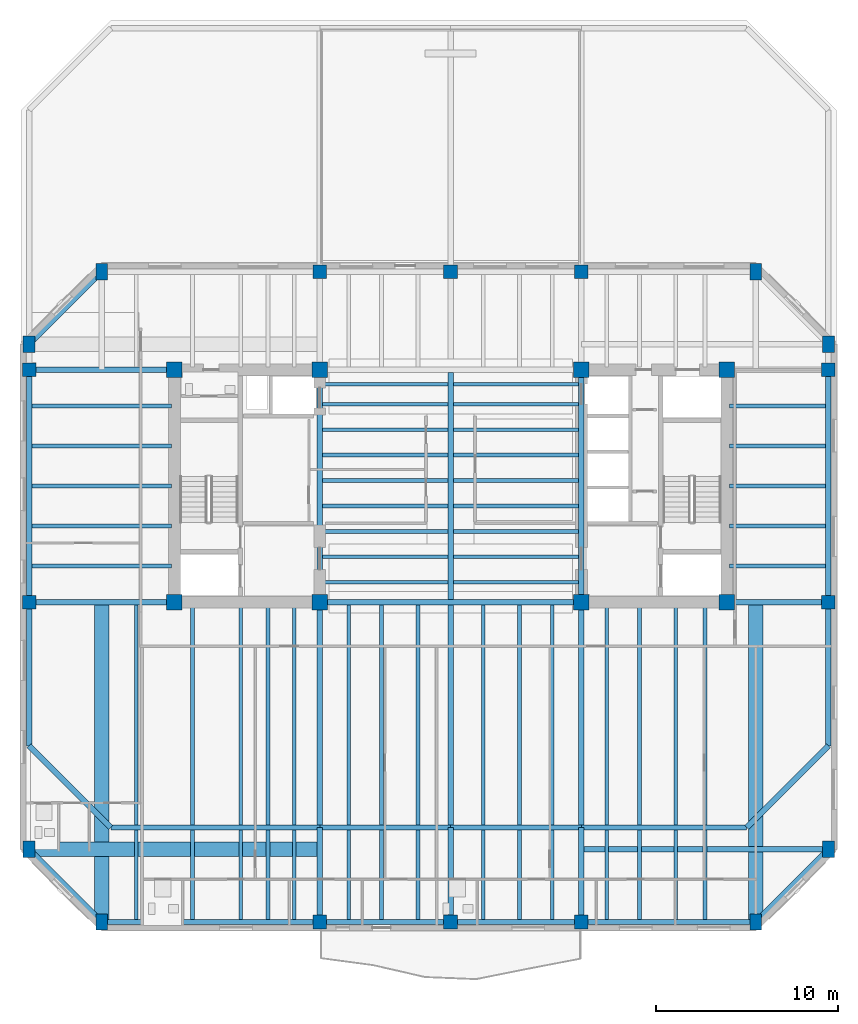
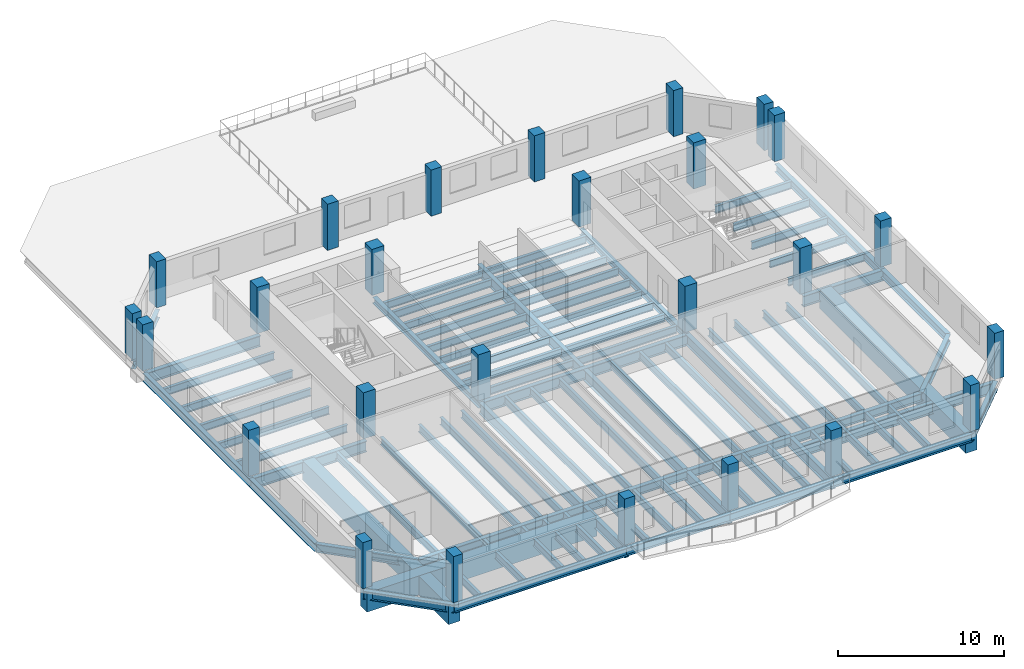
# One storey, part 1 of 11: 77 beams, 26 columns.
"""IFC4 building model written with IfcOpenShell, lengths in metres."""

import ifcopenshell
import ifcopenshell.guid

model = None  # the IFC model being written
_history = None  # IfcOwnerHistory: only IFC2X3 demands one
_inside = {}  # id of a spatial element -> (the spatial element, [elements in it])
_under = {}  # id of a project, library or spatial element -> (it, [spatial elements below it])
_declared = {}  # id of a project -> (the project, [libraries it declares])
_typed = {}  # id of a type object -> (the type object, [elements of that type])
_made_of = {}  # id of a material, layer set ... -> (it, [elements and type objects made of it])


def new_model(schema):
    """Start an empty IFC model of exactly this schema.

    Asked for "IFC4X3", IfcOpenShell would pick the latest addendum, in which some entities
    have other attributes; the version numbers below select the first issue.
    IFC2X3 requires an IfcOwnerHistory on every rooted entity: one is made here for all.
    """
    global model, _history
    if schema == "IFC4X3":
        model = ifcopenshell.file(schema_version=(4, 3, 0, 0))
    else:
        model = ifcopenshell.file(schema=schema)
    _inside.clear()
    _under.clear()
    _declared.clear()
    _typed.clear()
    _made_of.clear()
    _history = None
    if model.schema == "IFC2X3":
        org = make("IfcOrganization", Name="unknown")
        user = make(
            "IfcPersonAndOrganization",
            ThePerson=make("IfcPerson", FamilyName="unknown"),
            TheOrganization=org,
        )
        app = make(
            "IfcApplication",
            ApplicationDeveloper=org,
            Version="unknown",
            ApplicationFullName="unknown",
            ApplicationIdentifier="unknown",
        )
        _history = make(
            "IfcOwnerHistory",
            OwningUser=user,
            OwningApplication=app,
            ChangeAction="ADDED",
            CreationDate=0,
        )
    return model


def make(cls, **values):
    """One entity of the class cls with the attributes given. An attribute that is None is left unset."""
    return model.create_entity(
        cls, **{name: value for name, value in values.items() if value is not None}
    )


def rooted(cls, **values):
    """An entity with a GlobalId (a new one), such as an element, a storey or a relation."""
    return make(cls, GlobalId=ifcopenshell.guid.new(), OwnerHistory=_history, **values)


def si_unit(unit_type, name, prefix=None):
    """IfcSIUnit, for example si_unit("LENGTHUNIT", "METRE", prefix="MILLI")."""
    return make("IfcSIUnit", UnitType=unit_type, Prefix=prefix, Name=name)


def assignment(units):
    """IfcUnitAssignment: the units of a project."""
    return None if units is None else make("IfcUnitAssignment", Units=units)


def point(xyz):
    """IfcCartesianPoint."""
    return None if xyz is None else make("IfcCartesianPoint", Coordinates=xyz)


def direction(xyz):
    """IfcDirection."""
    return None if xyz is None else make("IfcDirection", DirectionRatios=xyz)


def frame(location, z_axis=None, x_axis=None):
    """IfcAxis2Placement3D, a coordinate frame: its origin and axes. An axis left out is left unset."""
    return make(
        "IfcAxis2Placement3D",
        Location=point(location),
        Axis=direction(z_axis),
        RefDirection=direction(x_axis),
    )


def frame_2d(location, x_axis=None):
    """IfcAxis2Placement2D, a coordinate frame in the plane: its origin and x axis."""
    return make(
        "IfcAxis2Placement2D", Location=point(location), RefDirection=direction(x_axis)
    )


def origin():
    """The frame at (0, 0, 0) with its axes left unset."""
    return frame((0.0, 0.0, 0.0))


def origin_2d():
    """The frame at (0, 0) in the plane with its x axis left unset."""
    return frame_2d((0.0, 0.0))


def place(relative_to, where):
    """IfcLocalPlacement: puts the frame where relative to a parent placement (None: the world)."""
    return make(
        "IfcLocalPlacement", PlacementRelTo=relative_to, RelativePlacement=where
    )


def context(
    kind, dimensions, precision=None, world=None, true_north=None, identifier=None
):
    """IfcGeometricRepresentationContext, for example the 3D "Model" context."""
    return make(
        "IfcGeometricRepresentationContext",
        ContextIdentifier=identifier,
        ContextType=kind,
        CoordinateSpaceDimension=dimensions,
        Precision=precision,
        WorldCoordinateSystem=world,
        TrueNorth=true_north,
    )


def subcontext(parent, identifier, kind, view, scale=None):
    """IfcGeometricRepresentationSubContext, for example "Body" below "Model"."""
    return make(
        "IfcGeometricRepresentationSubContext",
        ContextIdentifier=identifier,
        ContextType=kind,
        ParentContext=parent,
        TargetScale=scale,
        TargetView=view,
    )


def project(units=None, contexts=None):
    """IfcProject with its units and contexts."""
    return rooted(
        "IfcProject",
        Name="project",
        RepresentationContexts=contexts,
        UnitsInContext=assignment(units),
    )


def spatial(cls, under=None, at=None, **own):
    """A site, building, storey or space (cls), placed at a placement, below another one or the project."""
    s = rooted(cls, ObjectPlacement=at, **own)
    if under is not None:
        _under.setdefault(under.id(), (under, []))[1].append(s)
    return s


def profile(cls, at=None, kind="AREA", **sizes):
    """A parametric profile (cls). Its sizes go by their IFC names, for example OverallWidth=200.0."""
    return make(cls, ProfileType=kind, Position=at, **sizes)


def rectangle(**sizes):
    """IfcRectangleProfileDef."""
    return profile("IfcRectangleProfileDef", **sizes)


def i_section(**sizes):
    """IfcIShapeProfileDef."""
    return profile("IfcIShapeProfileDef", **sizes)


def extrude(swept, where, along, depth):
    """IfcExtrudedAreaSolid: the profile swept, set in the frame where, extruded along a direction by depth."""
    return make(
        "IfcExtrudedAreaSolid",
        SweptArea=swept,
        Position=where,
        ExtrudedDirection=direction(along),
        Depth=depth,
    )


def shape(context_of_items, identifier, shape_type, items):
    """IfcShapeRepresentation: the items that make up one representation, for example the "Body"."""
    return make(
        "IfcShapeRepresentation",
        ContextOfItems=context_of_items,
        RepresentationIdentifier=identifier,
        RepresentationType=shape_type,
        Items=items,
    )


def material(Name=None, Category=None):
    """IfcMaterial."""
    return make("IfcMaterial", Name=Name, Category=Category)


def material_profile(
    of_material, cross_section, Name=None, Category=None, Priority=None
):
    """IfcMaterialProfile: a cross section and its material."""
    return make(
        "IfcMaterialProfile",
        Name=Name,
        Material=of_material,
        Profile=cross_section,
        Priority=Priority,
        Category=Category,
    )


def profile_set(profiles, Name=None, composite=None):
    """IfcMaterialProfileSet."""
    return make(
        "IfcMaterialProfileSet",
        Name=Name,
        MaterialProfiles=profiles,
        CompositeProfile=composite,
    )


def made_of(thing, what):
    """Note that an element or type object is made of a material, layer set ...; save() writes the relation."""
    if what is not None:
        _made_of.setdefault(what.id(), (what, []))[1].append(thing)
    return thing


def type_object(cls, material=None, **own):
    """A type object (cls), such as IfcWallType, which elements share."""
    return made_of(rooted(cls, **own), material)


def element(
    cls,
    number,
    at=None,
    inside=None,
    cuts=None,
    type_object=None,
    material=None,
    context=None,
    identifier="Body",
    shape_type=None,
    held_by="IfcProductDefinitionShape",
    body=None,
    shapes=None,
    **own,
):
    """One element of the class cls, such as IfcWall. Its Tag is "e" and its number.

    at: its placement. inside: the storey or other place that contains it. cuts: it is an
    opening in that element (IfcRelVoidsElement). A single representation is given by context,
    identifier, shape_type and body (its items); several are given by shapes. held_by: the class
    of the entity that holds the representations. save() writes the other relations.
    """
    e = rooted(cls, Tag="e%d" % number, ObjectPlacement=at, **own)
    if body is not None:
        shapes = [shape(context, identifier, shape_type, body)]
    if shapes is not None:
        e.Representation = make(held_by, Representations=shapes)
    if inside is not None:
        _inside.setdefault(inside.id(), (inside, []))[1].append(e)
    if cuts is not None:
        rooted(
            "IfcRelVoidsElement", RelatingBuildingElement=cuts, RelatedOpeningElement=e
        )
    if type_object is not None:
        _typed.setdefault(type_object.id(), (type_object, []))[1].append(e)
    return made_of(e, material)


def aggregate(whole, parts):
    """IfcRelAggregates: a whole, such as a stair, and the parts it consists of."""
    return rooted("IfcRelAggregates", RelatingObject=whole, RelatedObjects=parts)


def save(model, path):
    """Write the relations noted so far, then the file.

    IfcRelAggregates (storeys below a building ...), IfcRelContainedInSpatialStructure (elements
    in a storey), IfcRelDefinesByType, IfcRelAssociatesMaterial and IfcRelDeclares: one each for
    every whole, place, type object, material and project.
    """
    for whole, parts in _under.values():
        aggregate(whole, parts)
    for where, things in _inside.values():
        rooted(
            "IfcRelContainedInSpatialStructure",
            RelatedElements=things,
            RelatingStructure=where,
        )
    for kind, things in _typed.values():
        rooted("IfcRelDefinesByType", RelatedObjects=things, RelatingType=kind)
    for what, things in _made_of.values():
        rooted("IfcRelAssociatesMaterial", RelatedObjects=things, RelatingMaterial=what)
    for by, libraries in _declared.values():
        rooted("IfcRelDeclares", RelatingContext=by, RelatedDefinitions=libraries)
    model.write(path)


model = new_model("IFC4")

# Units and contexts
model_context = context("Model", 3, precision=1e-05, world=origin(), true_north=direction((0.0, 1.0)))
body_context = subcontext(model_context, "Body", "Model", "MODEL_VIEW")
ifc_project = project(units=[si_unit("LENGTHUNIT", "METRE"), si_unit("AREAUNIT", "SQUARE_METRE"), si_unit("VOLUMEUNIT", "CUBIC_METRE"), si_unit("PLANEANGLEUNIT", "RADIAN"), si_unit("MASSUNIT", "GRAM", prefix="KILO")], contexts=[model_context])

# Site, building, storey
site_placement = place(None, origin())
site = spatial("IfcSite", under=ifc_project, at=site_placement, CompositionType="ELEMENT")
building_placement = place(site_placement, origin())
building = spatial("IfcBuilding", under=site, at=building_placement, Name="Kranthara Brick Stack", CompositionType="ELEMENT")
storey_placement = place(building_placement, frame((0.0, 0.0, 207.5)))
storey = spatial("IfcBuildingStorey", under=building, at=storey_placement, Name="L53", CompositionType="ELEMENT", Elevation=207.5)

# Columns
ifc_material_1 = material(Name="Concrete C50/60", Category="concrete")
ifc_material_profile_1 = material_profile(ifc_material_1, rectangle(XDim=0.64990234375, YDim=0.89990234375, at=origin_2d()), Name="RC 650x900")
ifc_profile_set_1 = profile_set([ifc_material_profile_1], Name="Concrete C50/60")
column_type_1 = type_object("IfcColumnType", Name="COL-CHAM-650x900", PredefinedType="COLUMN", material=ifc_profile_set_1)
for number, where, z_axis, x_axis, name in (
    (1, (8.800048828125, 3.199951171875, 0.0), (0.0, 0.0, 1.0), (1.0, 0.0, 0.0), "L53 Column 09"),
    (2, (8.800048828125, 39.0, 0.0), (0.0, 0.0, 1.0), (1.0, 0.0, 0.0), "L53 Column 10"),
    (3, (44.800048828125, 3.199951171875, 0.0), (0.0, 0.0, 1.0), (1.0, 0.0, 0.0), "L53 Column 17"),
    (4, (44.800048828125, 39.0, 0.0), (0.0, 0.0, 1.0), (1.0, 0.0, 0.0), "L53 Column 18"),
    (5, (4.800048828125, 7.199951171875, 0.0), (0.0, 0.0, 1.0), (1.0, 0.0, 0.0), "L53 Column 19"),
    (6, (48.800048828125, 7.199951171875, 0.0), (0.0, 0.0, 1.0), (1.0, 0.0, 0.0), "L53 Column 20"),
    (7, (4.800048828125, 35.0, 0.0), (0.0, 0.0, 1.0), (1.0, 0.0, 0.0), "L53 Column 25"),
    (8, (48.800048828125, 35.0, 0.0), (0.0, 0.0, 1.0), (1.0, 0.0, 0.0), "L53 Column 26"),
):
    element("IfcColumn", number, at=place(storey_placement, frame(where, z_axis=z_axis, x_axis=x_axis)), inside=storey, type_object=column_type_1, Name=name, PredefinedType="COLUMN", context=body_context, shape_type="SweptSolid", body=[
        extrude(rectangle(XDim=0.64990234375, YDim=0.89990234375, at=origin_2d()), origin(), (0.0, 0.0, 1.0), 3.39990234375),
    ])
ifc_material_2 = material(Name="Concrete C50/60", Category="concrete")
ifc_material_profile_2 = material_profile(ifc_material_2, rectangle(XDim=0.85009765625, YDim=0.85009765625, at=origin_2d()), Name="RC 850x850")
ifc_profile_set_2 = profile_set([ifc_material_profile_2], Name="Concrete C50/60")
column_type_2 = type_object("IfcColumnType", Name="COL-CORE-850", PredefinedType="COLUMN", material=ifc_profile_set_2)
for number, where, z_axis, x_axis, name in (
    (9, (12.800048828125, 20.800048828125, 0.0), (0.0, 0.0, 1.0), (1.0, 0.0, 0.0), "L53 Column 01"),
    (10, (20.800048828125, 20.800048828125, 0.0), (0.0, 0.0, 1.0), (1.0, 0.0, 0.0), "L53 Column 02"),
    (11, (12.800048828125, 33.60009765625, 0.0), (0.0, 0.0, 1.0), (1.0, 0.0, 0.0), "L53 Column 03"),
    (12, (20.800048828125, 33.60009765625, 0.0), (0.0, 0.0, 1.0), (1.0, 0.0, 0.0), "L53 Column 04"),
    (13, (35.199951171875, 20.800048828125, 0.0), (0.0, 0.0, 1.0), (1.0, 0.0, 0.0), "L53 Column 05"),
    (14, (43.199951171875, 20.800048828125, 0.0), (0.0, 0.0, 1.0), (1.0, 0.0, 0.0), "L53 Column 06"),
    (15, (35.199951171875, 33.60009765625, 0.0), (0.0, 0.0, 1.0), (1.0, 0.0, 0.0), "L53 Column 07"),
    (16, (43.199951171875, 33.60009765625, 0.0), (0.0, 0.0, 1.0), (1.0, 0.0, 0.0), "L53 Column 08"),
):
    element("IfcColumn", number, at=place(storey_placement, frame(where, z_axis=z_axis, x_axis=x_axis)), inside=storey, type_object=column_type_2, Name=name, PredefinedType="COLUMN", context=body_context, shape_type="SweptSolid", body=[
        extrude(rectangle(XDim=0.85009765625, YDim=0.85009765625, at=origin_2d()), origin(), (0.0, 0.0, 1.0), 3.39990234375),
    ])
ifc_material_3 = material(Name="Concrete C50/60", Category="concrete")
ifc_material_profile_3 = material_profile(ifc_material_3, rectangle(XDim=0.75, YDim=0.75, at=origin_2d()), Name="RC 750x750")
ifc_profile_set_3 = profile_set([ifc_material_profile_3], Name="Concrete C50/60")
column_type_3 = type_object("IfcColumnType", Name="COL-PER-750", PredefinedType="COLUMN", material=ifc_profile_set_3)
for number, where, z_axis, x_axis, name in (
    (17, (20.800048828125, 3.199951171875, 0.0), (0.0, 0.0, 1.0), (1.0, 0.0, 0.0), "L53 Column 11"),
    (18, (20.800048828125, 39.0, 0.0), (0.0, 0.0, 1.0), (1.0, 0.0, 0.0), "L53 Column 12"),
    (19, (28.0, 3.199951171875, 0.0), (0.0, 0.0, 1.0), (1.0, 0.0, 0.0), "L53 Column 13"),
    (20, (28.0, 39.0, 0.0), (0.0, 0.0, 1.0), (1.0, 0.0, 0.0), "L53 Column 14"),
    (21, (35.199951171875, 3.199951171875, 0.0), (0.0, 0.0, 1.0), (1.0, 0.0, 0.0), "L53 Column 15"),
    (22, (35.199951171875, 39.0, 0.0), (0.0, 0.0, 1.0), (1.0, 0.0, 0.0), "L53 Column 16"),
    (23, (4.800048828125, 20.800048828125, 0.0), (0.0, 0.0, 1.0), (1.0, 0.0, 0.0), "L53 Column 21"),
    (24, (48.800048828125, 20.800048828125, 0.0), (0.0, 0.0, 1.0), (1.0, 0.0, 0.0), "L53 Column 22"),
    (25, (4.800048828125, 33.60009765625, 0.0), (0.0, 0.0, 1.0), (1.0, 0.0, 0.0), "L53 Column 23"),
    (26, (48.800048828125, 33.60009765625, 0.0), (0.0, 0.0, 1.0), (1.0, 0.0, 0.0), "L53 Column 24"),
):
    element("IfcColumn", number, at=place(storey_placement, frame(where, z_axis=z_axis, x_axis=x_axis)), inside=storey, type_object=column_type_3, Name=name, PredefinedType="COLUMN", context=body_context, shape_type="SweptSolid", body=[
        extrude(rectangle(XDim=0.75, YDim=0.75, at=origin_2d()), origin(), (0.0, 0.0, 1.0), 3.39990234375),
    ])

# Beams
ifc_material_4 = material(Name="Steel S355", Category="steel")
ifc_material_profile_4 = material_profile(ifc_material_4, i_section(OverallWidth=0.2099609375, OverallDepth=0.550048828125, WebThickness=0.010986328125, FlangeThickness=0.01708984375, at=origin_2d()), Name="IPE 550")
ifc_profile_set_4 = profile_set([ifc_material_profile_4], Name="Steel S355")
beam_type_1 = type_object("IfcBeamType", Name="BM-JST-IPE550", PredefinedType="JOIST", material=ifc_profile_set_4)
for number, where, z_axis, x_axis, name in (
    (27, (20.949951171875, 21.89990234375, -0.72509765625), (1.0, 0.0, 0.0), (0.0, 1.0, 0.0), "L53 Central Floor Joist 057"),
    (28, (28.14990234375, 21.89990234375, -0.72509765625), (1.0, 0.0, 0.0), (0.0, 1.0, 0.0), "L53 Central Floor Joist 058"),
    (29, (20.949951171875, 23.300048828125, -0.72509765625), (1.0, 0.0, 0.0), (0.0, 1.0, 0.0), "L53 Central Floor Joist 059"),
    (30, (28.14990234375, 23.300048828125, -0.72509765625), (1.0, 0.0, 0.0), (0.0, 1.0, 0.0), "L53 Central Floor Joist 060"),
    (31, (20.949951171875, 24.699951171875, -0.72509765625), (1.0, 0.0, 0.0), (0.0, 1.0, 0.0), "L53 Central Floor Joist 061"),
    (32, (28.14990234375, 24.699951171875, -0.72509765625), (1.0, 0.0, 0.0), (0.0, 1.0, 0.0), "L53 Central Floor Joist 062"),
    (33, (20.949951171875, 26.10009765625, -0.72509765625), (1.0, 0.0, 0.0), (0.0, 1.0, 0.0), "L53 Central Floor Joist 063"),
    (34, (28.14990234375, 26.10009765625, -0.72509765625), (1.0, 0.0, 0.0), (0.0, 1.0, 0.0), "L53 Central Floor Joist 064"),
    (35, (20.949951171875, 27.5, -0.72509765625), (1.0, 0.0, 0.0), (0.0, 1.0, 0.0), "L53 Central Floor Joist 065"),
    (36, (28.14990234375, 27.5, -0.72509765625), (1.0, 0.0, 0.0), (0.0, 1.0, 0.0), "L53 Central Floor Joist 066"),
    (37, (20.949951171875, 28.89990234375, -0.72509765625), (1.0, 0.0, 0.0), (0.0, 1.0, 0.0), "L53 Central Floor Joist 067"),
    (38, (28.14990234375, 28.89990234375, -0.72509765625), (1.0, 0.0, 0.0), (0.0, 1.0, 0.0), "L53 Central Floor Joist 068"),
    (39, (20.949951171875, 30.300048828125, -0.72509765625), (1.0, 0.0, 0.0), (0.0, 1.0, 0.0), "L53 Central Floor Joist 069"),
    (40, (28.14990234375, 30.300048828125, -0.72509765625), (1.0, 0.0, 0.0), (0.0, 1.0, 0.0), "L53 Central Floor Joist 070"),
    (41, (20.949951171875, 31.699951171875, -0.72509765625), (1.0, 0.0, 0.0), (0.0, 1.0, 0.0), "L53 Central Floor Joist 071"),
    (42, (28.14990234375, 31.699951171875, -0.72509765625), (1.0, 0.0, 0.0), (0.0, 1.0, 0.0), "L53 Central Floor Joist 072"),
    (43, (20.949951171875, 32.800048828125, -0.72509765625), (1.0, 0.0, 0.0), (0.0, 1.0, 0.0), "L53 Central Floor Joist 073"),
    (44, (28.14990234375, 32.800048828125, -0.72509765625), (1.0, 0.0, 0.0), (0.0, 1.0, 0.0), "L53 Central Floor Joist 074"),
):
    element("IfcBeam", number, at=place(storey_placement, frame(where, z_axis=z_axis, x_axis=x_axis)), inside=storey, type_object=beam_type_1, Name=name, PredefinedType="JOIST", context=body_context, shape_type="SweptSolid", body=[
        extrude(i_section(OverallWidth=0.2099609375, OverallDepth=0.550048828125, WebThickness=0.010986328125, FlangeThickness=0.01708984375, at=origin_2d()), origin(), (0.0, 0.0, 1.0), 6.900146484375),
    ])
for number, where, z_axis, x_axis, name in (
    (45, (10.699951171875, 3.35009765625, -0.72509765625), (0.0, 1.0, 0.0), (-1.0, 0.0, 0.0), "L53 South Wing Floor Joist 075"),
    (46, (13.800048828125, 3.35009765625, -0.72509765625), (0.0, 1.0, 0.0), (-1.0, 0.0, 0.0), "L53 South Wing Floor Joist 077"),
    (47, (16.449951171875, 3.35009765625, -0.72509765625), (0.0, 1.0, 0.0), (-1.0, 0.0, 0.0), "L53 South Wing Floor Joist 079"),
    (48, (17.949951171875, 3.35009765625, -0.72509765625), (0.0, 1.0, 0.0), (-1.0, 0.0, 0.0), "L53 South Wing Floor Joist 081"),
    (49, (19.39990234375, 3.35009765625, -0.72509765625), (0.0, 1.0, 0.0), (-1.0, 0.0, 0.0), "L53 South Wing Floor Joist 083"),
    (50, (22.39990234375, 3.35009765625, -0.72509765625), (0.0, 1.0, 0.0), (-1.0, 0.0, 0.0), "L53 South Wing Floor Joist 085"),
    (51, (24.199951171875, 3.35009765625, -0.72509765625), (0.0, 1.0, 0.0), (-1.0, 0.0, 0.0), "L53 South Wing Floor Joist 087"),
    (52, (26.199951171875, 3.35009765625, -0.72509765625), (0.0, 1.0, 0.0), (-1.0, 0.0, 0.0), "L53 South Wing Floor Joist 089"),
    (53, (29.800048828125, 3.35009765625, -0.72509765625), (0.0, 1.0, 0.0), (-1.0, 0.0, 0.0), "L53 South Wing Floor Joist 091"),
    (54, (31.800048828125, 3.35009765625, -0.72509765625), (0.0, 1.0, 0.0), (-1.0, 0.0, 0.0), "L53 South Wing Floor Joist 093"),
    (55, (33.60009765625, 3.35009765625, -0.72509765625), (0.0, 1.0, 0.0), (-1.0, 0.0, 0.0), "L53 South Wing Floor Joist 095"),
    (56, (36.60009765625, 3.35009765625, -0.72509765625), (0.0, 1.0, 0.0), (-1.0, 0.0, 0.0), "L53 South Wing Floor Joist 097"),
    (57, (38.39990234375, 3.35009765625, -0.72509765625), (0.0, 1.0, 0.0), (-1.0, 0.0, 0.0), "L53 South Wing Floor Joist 099"),
    (58, (40.39990234375, 3.35009765625, -0.72509765625), (0.0, 1.0, 0.0), (-1.0, 0.0, 0.0), "L53 South Wing Floor Joist 101"),
    (59, (42.0, 3.35009765625, -0.72509765625), (0.0, 1.0, 0.0), (-1.0, 0.0, 0.0), "L53 South Wing Floor Joist 103"),
):
    element("IfcBeam", number, at=place(storey_placement, frame(where, z_axis=z_axis, x_axis=x_axis)), inside=storey, type_object=beam_type_1, Name=name, PredefinedType="JOIST", context=body_context, shape_type="SweptSolid", body=[
        extrude(i_section(OverallWidth=0.2099609375, OverallDepth=0.550048828125, WebThickness=0.010986328125, FlangeThickness=0.01708984375, at=origin_2d()), origin(), (0.0, 0.0, 1.0), 17.2998046875),
    ])
beam_1_placement = place(storey_placement, frame((4.949951171875, 22.800048828125, -0.72509765625), z_axis=(1.0, 0.0, 0.0), x_axis=(0.0, 1.0, 0.0)))
element("IfcBeam", 60, at=beam_1_placement, inside=storey, type_object=beam_type_1, Name="L53 West Wing Floor Joist 105", PredefinedType="JOIST", context=body_context, shape_type="SweptSolid", body=[
    extrude(i_section(OverallWidth=0.2099609375, OverallDepth=0.550048828125, WebThickness=0.010986328125, FlangeThickness=0.01708984375, at=origin_2d()), origin(), (0.0, 0.0, 1.0), 7.699951171875),
])
beam_2_placement = place(storey_placement, frame((43.35009765625, 22.800048828125, -0.72509765625), z_axis=(1.0, 0.0, 0.0), x_axis=(0.0, 1.0, 0.0)))
element("IfcBeam", 61, at=beam_2_placement, inside=storey, type_object=beam_type_1, Name="L53 East Wing Floor Joist 106", PredefinedType="JOIST", context=body_context, shape_type="SweptSolid", body=[
    extrude(i_section(OverallWidth=0.2099609375, OverallDepth=0.550048828125, WebThickness=0.010986328125, FlangeThickness=0.01708984375, at=origin_2d()), origin(), (0.0, 0.0, 1.0), 5.2998046875),
])
beam_3_placement = place(storey_placement, frame((4.949951171875, 25.0, -0.72509765625), z_axis=(1.0, 0.0, 0.0), x_axis=(0.0, 1.0, 0.0)))
element("IfcBeam", 62, at=beam_3_placement, inside=storey, type_object=beam_type_1, Name="L53 West Wing Floor Joist 107", PredefinedType="JOIST", context=body_context, shape_type="SweptSolid", body=[
    extrude(i_section(OverallWidth=0.2099609375, OverallDepth=0.550048828125, WebThickness=0.010986328125, FlangeThickness=0.01708984375, at=origin_2d()), origin(), (0.0, 0.0, 1.0), 7.699951171875),
])
beam_4_placement = place(storey_placement, frame((43.35009765625, 25.0, -0.72509765625), z_axis=(1.0, 0.0, 0.0), x_axis=(0.0, 1.0, 0.0)))
element("IfcBeam", 63, at=beam_4_placement, inside=storey, type_object=beam_type_1, Name="L53 East Wing Floor Joist 108", PredefinedType="JOIST", context=body_context, shape_type="SweptSolid", body=[
    extrude(i_section(OverallWidth=0.2099609375, OverallDepth=0.550048828125, WebThickness=0.010986328125, FlangeThickness=0.01708984375, at=origin_2d()), origin(), (0.0, 0.0, 1.0), 5.2998046875),
])
beam_5_placement = place(storey_placement, frame((4.949951171875, 27.199951171875, -0.72509765625), z_axis=(1.0, 0.0, 0.0), x_axis=(0.0, 1.0, 0.0)))
element("IfcBeam", 64, at=beam_5_placement, inside=storey, type_object=beam_type_1, Name="L53 West Wing Floor Joist 109", PredefinedType="JOIST", context=body_context, shape_type="SweptSolid", body=[
    extrude(i_section(OverallWidth=0.2099609375, OverallDepth=0.550048828125, WebThickness=0.010986328125, FlangeThickness=0.01708984375, at=origin_2d()), origin(), (0.0, 0.0, 1.0), 7.699951171875),
])
beam_6_placement = place(storey_placement, frame((43.35009765625, 27.199951171875, -0.72509765625), z_axis=(1.0, 0.0, 0.0), x_axis=(0.0, 1.0, 0.0)))
element("IfcBeam", 65, at=beam_6_placement, inside=storey, type_object=beam_type_1, Name="L53 East Wing Floor Joist 110", PredefinedType="JOIST", context=body_context, shape_type="SweptSolid", body=[
    extrude(i_section(OverallWidth=0.2099609375, OverallDepth=0.550048828125, WebThickness=0.010986328125, FlangeThickness=0.01708984375, at=origin_2d()), origin(), (0.0, 0.0, 1.0), 5.2998046875),
])
beam_7_placement = place(storey_placement, frame((4.949951171875, 29.39990234375, -0.72509765625), z_axis=(1.0, 0.0, 0.0), x_axis=(0.0, 1.0, 0.0)))
element("IfcBeam", 66, at=beam_7_placement, inside=storey, type_object=beam_type_1, Name="L53 West Wing Floor Joist 111", PredefinedType="JOIST", context=body_context, shape_type="SweptSolid", body=[
    extrude(i_section(OverallWidth=0.2099609375, OverallDepth=0.550048828125, WebThickness=0.010986328125, FlangeThickness=0.01708984375, at=origin_2d()), origin(), (0.0, 0.0, 1.0), 7.699951171875),
])
beam_8_placement = place(storey_placement, frame((43.35009765625, 29.39990234375, -0.72509765625), z_axis=(1.0, 0.0, 0.0), x_axis=(0.0, 1.0, 0.0)))
element("IfcBeam", 67, at=beam_8_placement, inside=storey, type_object=beam_type_1, Name="L53 East Wing Floor Joist 112", PredefinedType="JOIST", context=body_context, shape_type="SweptSolid", body=[
    extrude(i_section(OverallWidth=0.2099609375, OverallDepth=0.550048828125, WebThickness=0.010986328125, FlangeThickness=0.01708984375, at=origin_2d()), origin(), (0.0, 0.0, 1.0), 5.2998046875),
])
beam_9_placement = place(storey_placement, frame((4.949951171875, 31.60009765625, -0.72509765625), z_axis=(1.0, 0.0, 0.0), x_axis=(0.0, 1.0, 0.0)))
element("IfcBeam", 68, at=beam_9_placement, inside=storey, type_object=beam_type_1, Name="L53 West Wing Floor Joist 113", PredefinedType="JOIST", context=body_context, shape_type="SweptSolid", body=[
    extrude(i_section(OverallWidth=0.2099609375, OverallDepth=0.550048828125, WebThickness=0.010986328125, FlangeThickness=0.01708984375, at=origin_2d()), origin(), (0.0, 0.0, 1.0), 7.699951171875),
])
beam_10_placement = place(storey_placement, frame((43.35009765625, 31.60009765625, -0.72509765625), z_axis=(1.0, 0.0, 0.0), x_axis=(0.0, 1.0, 0.0)))
element("IfcBeam", 69, at=beam_10_placement, inside=storey, type_object=beam_type_1, Name="L53 East Wing Floor Joist 114", PredefinedType="JOIST", context=body_context, shape_type="SweptSolid", body=[
    extrude(i_section(OverallWidth=0.2099609375, OverallDepth=0.550048828125, WebThickness=0.010986328125, FlangeThickness=0.01708984375, at=origin_2d()), origin(), (0.0, 0.0, 1.0), 5.2998046875),
])
ifc_material_5 = material(Name="Steel S355", Category="steel")
ifc_material_profile_5 = material_profile(ifc_material_5, i_section(OverallWidth=0.300048828125, OverallDepth=0.449951171875, WebThickness=0.013916015625, FlangeThickness=0.02587890625, at=origin_2d()), Name="HEB 450")
ifc_profile_set_5 = profile_set([ifc_material_profile_5], Name="Steel S355")
beam_type_2 = type_object("IfcBeamType", Name="BM-STL-HEB450", PredefinedType="SPANDREL", material=ifc_profile_set_5)
for number, where, z_axis, x_axis, name in (
    (70, (20.800048828125, 20.800048828125, -0.675048828125), (0.0, 1.0, 0.0), (-1.0, 0.0, 0.0), "L53 Core Edge Tie Beam 003"),
    (71, (35.199951171875, 20.800048828125, -0.675048828125), (0.0, 1.0, 0.0), (-1.0, 0.0, 0.0), "L53 Core Edge Tie Beam 004"),
):
    element("IfcBeam", number, at=place(storey_placement, frame(where, z_axis=z_axis, x_axis=x_axis)), inside=storey, type_object=beam_type_2, Name=name, PredefinedType="SPANDREL", context=body_context, shape_type="SweptSolid", body=[
        extrude(i_section(OverallWidth=0.300048828125, OverallDepth=0.449951171875, WebThickness=0.013916015625, FlangeThickness=0.02587890625, at=origin_2d()), origin(), (0.0, 0.0, 1.0), 12.800048828125),
    ])
ifc_material_6 = material(Name="Steel S355", Category="steel")
ifc_material_profile_6 = material_profile(ifc_material_6, i_section(OverallWidth=0.300048828125, OverallDepth=0.60009765625, WebThickness=0.015380859375, FlangeThickness=0.030029296875, at=origin_2d()), Name="HEB 600")
ifc_profile_set_6 = profile_set([ifc_material_profile_6], Name="Steel S355")
beam_type_3 = type_object("IfcBeamType", Name="BM-STL-HEB600", PredefinedType="BEAM", material=ifc_profile_set_6)
beam_11_placement = place(storey_placement, frame((9.300048828125, 8.39990234375, -0.75), z_axis=(1.0, 0.0, 0.0), x_axis=(0.0, 1.0, 0.0)))
element("IfcBeam", 72, at=beam_11_placement, inside=storey, type_object=beam_type_3, Name="L53 Perimeter Spandrel Beam 005", PredefinedType="BEAM", context=body_context, shape_type="SweptSolid", body=[
    extrude(i_section(OverallWidth=0.300048828125, OverallDepth=0.60009765625, WebThickness=0.015380859375, FlangeThickness=0.030029296875, at=origin_2d()), origin(), (0.0, 0.0, 1.0), 11.5),
])
for number, where, z_axis, x_axis, name in (
    (73, (20.800048828125, 8.39990234375, -0.75), (1.0, 0.0, 0.0), (0.0, 1.0, 0.0), "L53 Perimeter Spandrel Beam 006"),
    (74, (28.0, 8.39990234375, -0.75), (1.0, 0.0, 0.0), (0.0, 1.0, 0.0), "L53 Perimeter Spandrel Beam 007"),
):
    element("IfcBeam", number, at=place(storey_placement, frame(where, z_axis=z_axis, x_axis=x_axis)), inside=storey, type_object=beam_type_3, Name=name, PredefinedType="BEAM", context=body_context, shape_type="SweptSolid", body=[
        extrude(i_section(OverallWidth=0.300048828125, OverallDepth=0.60009765625, WebThickness=0.015380859375, FlangeThickness=0.030029296875, at=origin_2d()), origin(), (0.0, 0.0, 1.0), 7.199951171875),
    ])
beam_12_placement = place(storey_placement, frame((35.199951171875, 8.39990234375, -0.75), z_axis=(1.0, 0.0, 0.0), x_axis=(0.0, 1.0, 0.0)))
element("IfcBeam", 75, at=beam_12_placement, inside=storey, type_object=beam_type_3, Name="L53 Perimeter Spandrel Beam 008", PredefinedType="BEAM", context=body_context, shape_type="SweptSolid", body=[
    extrude(i_section(OverallWidth=0.300048828125, OverallDepth=0.60009765625, WebThickness=0.015380859375, FlangeThickness=0.030029296875, at=origin_2d()), origin(), (0.0, 0.0, 1.0), 9.10009765625),
])
beam_13_placement = place(storey_placement, frame((4.800048828125, 12.89990234375, -0.75), z_axis=(0.0, 1.0, 0.0), x_axis=(-1.0, 0.0, 0.0)))
element("IfcBeam", 76, at=beam_13_placement, inside=storey, type_object=beam_type_3, Name="L53 Perimeter Spandrel Beam 013", PredefinedType="BEAM", context=body_context, shape_type="SweptSolid", body=[
    extrude(i_section(OverallWidth=0.300048828125, OverallDepth=0.60009765625, WebThickness=0.015380859375, FlangeThickness=0.030029296875, at=origin_2d()), origin(), (0.0, 0.0, 1.0), 7.900146484375),
])
beam_14_placement = place(storey_placement, frame((4.800048828125, 20.800048828125, -0.75), z_axis=(0.0, 1.0, 0.0), x_axis=(-1.0, 0.0, 0.0)))
element("IfcBeam", 77, at=beam_14_placement, inside=storey, type_object=beam_type_3, Name="L53 Perimeter Spandrel Beam 014", PredefinedType="BEAM", context=body_context, shape_type="SweptSolid", body=[
    extrude(i_section(OverallWidth=0.300048828125, OverallDepth=0.60009765625, WebThickness=0.015380859375, FlangeThickness=0.030029296875, at=origin_2d()), origin(), (0.0, 0.0, 1.0), 12.800048828125),
])
beam_15_placement = place(storey_placement, frame((48.800048828125, 12.89990234375, -0.75), z_axis=(0.0, 1.0, 0.0), x_axis=(-1.0, 0.0, 0.0)))
element("IfcBeam", 78, at=beam_15_placement, inside=storey, type_object=beam_type_3, Name="L53 Perimeter Spandrel Beam 016", PredefinedType="BEAM", context=body_context, shape_type="SweptSolid", body=[
    extrude(i_section(OverallWidth=0.300048828125, OverallDepth=0.60009765625, WebThickness=0.015380859375, FlangeThickness=0.030029296875, at=origin_2d()), origin(), (0.0, 0.0, 1.0), 7.900146484375),
])
beam_16_placement = place(storey_placement, frame((48.800048828125, 20.800048828125, -0.75), z_axis=(0.0, 1.0, 0.0), x_axis=(-1.0, 0.0, 0.0)))
element("IfcBeam", 79, at=beam_16_placement, inside=storey, type_object=beam_type_3, Name="L53 Perimeter Spandrel Beam 017", PredefinedType="BEAM", context=body_context, shape_type="SweptSolid", body=[
    extrude(i_section(OverallWidth=0.300048828125, OverallDepth=0.60009765625, WebThickness=0.015380859375, FlangeThickness=0.030029296875, at=origin_2d()), origin(), (0.0, 0.0, 1.0), 12.800048828125),
])
for number, where, z_axis, x_axis, name in (
    (80, (9.300048828125, 8.39990234375, -0.75), (-0.707106781187, 0.707106781187, 0.0), (-0.707106781187, -0.707106781187, 0.0), "L53 Chamfer Corner Spandrel 019"),
    (81, (44.300048828125, 8.39990234375, -0.75), (0.707106781187, 0.707106781187, 0.0), (-0.707106781187, 0.707106781187, 0.0), "L53 Chamfer Corner Spandrel 020"),
):
    element("IfcBeam", number, at=place(storey_placement, frame(where, z_axis=z_axis, x_axis=x_axis)), inside=storey, type_object=beam_type_3, Name=name, PredefinedType="BEAM", context=body_context, shape_type="SweptSolid", body=[
        extrude(i_section(OverallWidth=0.300048828125, OverallDepth=0.60009765625, WebThickness=0.015380859375, FlangeThickness=0.030029296875, at=origin_2d()), origin(), (0.0, 0.0, 1.0), 6.364013671875),
    ])
beam_17_placement = place(storey_placement, frame((8.800048828125, 3.199951171875, -0.75), z_axis=(1.0, 0.0, 0.0), x_axis=(0.0, 1.0, 0.0)))
element("IfcBeam", 82, at=beam_17_placement, inside=storey, type_object=beam_type_3, Name="L53 Perimeter Spandrel Beam 023", PredefinedType="BEAM", context=body_context, shape_type="SweptSolid", body=[
    extrude(i_section(OverallWidth=0.300048828125, OverallDepth=0.60009765625, WebThickness=0.015380859375, FlangeThickness=0.030029296875, at=origin_2d()), origin(), (0.0, 0.0, 1.0), 12.0),
])
for number, where, z_axis, x_axis, name in (
    (83, (20.800048828125, 3.199951171875, -0.75), (1.0, 0.0, 0.0), (0.0, 1.0, 0.0), "L53 Perimeter Spandrel Beam 024"),
    (84, (28.0, 3.199951171875, -0.75), (1.0, 0.0, 0.0), (0.0, 1.0, 0.0), "L53 Perimeter Spandrel Beam 025"),
):
    element("IfcBeam", number, at=place(storey_placement, frame(where, z_axis=z_axis, x_axis=x_axis)), inside=storey, type_object=beam_type_3, Name=name, PredefinedType="BEAM", context=body_context, shape_type="SweptSolid", body=[
        extrude(i_section(OverallWidth=0.300048828125, OverallDepth=0.60009765625, WebThickness=0.015380859375, FlangeThickness=0.030029296875, at=origin_2d()), origin(), (0.0, 0.0, 1.0), 7.199951171875),
    ])
beam_18_placement = place(storey_placement, frame((35.199951171875, 3.199951171875, -0.75), z_axis=(1.0, 0.0, 0.0), x_axis=(0.0, 1.0, 0.0)))
element("IfcBeam", 85, at=beam_18_placement, inside=storey, type_object=beam_type_3, Name="L53 Perimeter Spandrel Beam 026", PredefinedType="BEAM", context=body_context, shape_type="SweptSolid", body=[
    extrude(i_section(OverallWidth=0.300048828125, OverallDepth=0.60009765625, WebThickness=0.015380859375, FlangeThickness=0.030029296875, at=origin_2d()), origin(), (0.0, 0.0, 1.0), 9.60009765625),
])
for number, where, z_axis, x_axis, name in (
    (86, (8.800048828125, 3.199951171875, -0.75), (-0.707106781187, 0.707106781187, 0.0), (-0.707106781187, -0.707106781187, 0.0), "L53 Chamfer Corner Spandrel 031"),
    (87, (44.800048828125, 3.199951171875, -0.75), (0.707106781187, 0.707106781187, 0.0), (-0.707106781187, 0.707106781187, 0.0), "L53 Chamfer Corner Spandrel 032"),
    (88, (8.800048828125, 39.0, -0.75), (-0.707106781187, -0.707106781187, 0.0), (0.707106781187, -0.707106781187, 0.0), "L53 Chamfer Corner Spandrel 033"),
):
    element("IfcBeam", number, at=place(storey_placement, frame(where, z_axis=z_axis, x_axis=x_axis)), inside=storey, type_object=beam_type_3, Name=name, PredefinedType="BEAM", context=body_context, shape_type="SweptSolid", body=[
        extrude(i_section(OverallWidth=0.300048828125, OverallDepth=0.60009765625, WebThickness=0.015380859375, FlangeThickness=0.030029296875, at=origin_2d()), origin(), (0.0, 0.0, 1.0), 5.65673828125),
    ])
ifc_material_7 = material(Name="Steel S355", Category="steel")
ifc_material_profile_7 = material_profile(ifc_material_7, i_section(OverallWidth=0.300048828125, OverallDepth=0.800048828125, WebThickness=0.017578125, FlangeThickness=0.032958984375, at=origin_2d()), Name="HEB 800")
ifc_profile_set_7 = profile_set([ifc_material_profile_7], Name="Steel S355")
beam_type_4 = type_object("IfcBeamType", Name="BM-TR-HEB800", PredefinedType="BEAM", material=ifc_profile_set_7)
beam_19_placement = place(storey_placement, frame((20.800048828125, 20.800048828125, -0.85009765625), z_axis=(1.0, 0.0, 0.0), x_axis=(0.0, 1.0, 0.0)))
element("IfcBeam", 89, at=beam_19_placement, inside=storey, type_object=beam_type_4, Name="L53 Core Coupling Beam 001", PredefinedType="BEAM", context=body_context, shape_type="SweptSolid", body=[
    extrude(i_section(OverallWidth=0.300048828125, OverallDepth=0.800048828125, WebThickness=0.017578125, FlangeThickness=0.032958984375, at=origin_2d()), origin(), (0.0, 0.0, 1.0), 14.39990234375),
])
beam_20_placement = place(storey_placement, frame((20.800048828125, 3.199951171875, -0.85009765625), z_axis=(0.0, 1.0, 0.0), x_axis=(-1.0, 0.0, 0.0)))
element("IfcBeam", 90, at=beam_20_placement, inside=storey, type_object=beam_type_4, Name="L53 Primary Grid Girder 035", PredefinedType="BEAM", context=body_context, shape_type="SweptSolid", body=[
    extrude(i_section(OverallWidth=0.300048828125, OverallDepth=0.800048828125, WebThickness=0.017578125, FlangeThickness=0.032958984375, at=origin_2d()), origin(), (0.0, 0.0, 1.0), 5.199951171875),
])
beam_21_placement = place(storey_placement, frame((20.800048828125, 8.39990234375, -0.85009765625), z_axis=(0.0, 1.0, 0.0), x_axis=(-1.0, 0.0, 0.0)))
element("IfcBeam", 91, at=beam_21_placement, inside=storey, type_object=beam_type_4, Name="L53 Primary Grid Girder 036", PredefinedType="BEAM", context=body_context, shape_type="SweptSolid", body=[
    extrude(i_section(OverallWidth=0.300048828125, OverallDepth=0.800048828125, WebThickness=0.017578125, FlangeThickness=0.032958984375, at=origin_2d()), origin(), (0.0, 0.0, 1.0), 12.400146484375),
])
beam_22_placement = place(storey_placement, frame((28.0, 3.199951171875, -0.85009765625), z_axis=(0.0, 1.0, 0.0), x_axis=(-1.0, 0.0, 0.0)))
element("IfcBeam", 92, at=beam_22_placement, inside=storey, type_object=beam_type_4, Name="L53 Primary Grid Girder 038", PredefinedType="BEAM", context=body_context, shape_type="SweptSolid", body=[
    extrude(i_section(OverallWidth=0.300048828125, OverallDepth=0.800048828125, WebThickness=0.017578125, FlangeThickness=0.032958984375, at=origin_2d()), origin(), (0.0, 0.0, 1.0), 5.199951171875),
])
beam_23_placement = place(storey_placement, frame((28.0, 8.39990234375, -0.85009765625), z_axis=(0.0, 1.0, 0.0), x_axis=(-1.0, 0.0, 0.0)))
element("IfcBeam", 93, at=beam_23_placement, inside=storey, type_object=beam_type_4, Name="L53 Primary Grid Girder 039", PredefinedType="BEAM", context=body_context, shape_type="SweptSolid", body=[
    extrude(i_section(OverallWidth=0.300048828125, OverallDepth=0.800048828125, WebThickness=0.017578125, FlangeThickness=0.032958984375, at=origin_2d()), origin(), (0.0, 0.0, 1.0), 12.25),
])
beam_24_placement = place(storey_placement, frame((28.0, 20.949951171875, -0.85009765625), z_axis=(0.0, 1.0, 0.0), x_axis=(-1.0, 0.0, 0.0)))
element("IfcBeam", 94, at=beam_24_placement, inside=storey, type_object=beam_type_4, Name="L53 Central Spine Girder 040", PredefinedType="BEAM", context=body_context, shape_type="SweptSolid", body=[
    extrude(i_section(OverallWidth=0.300048828125, OverallDepth=0.800048828125, WebThickness=0.017578125, FlangeThickness=0.032958984375, at=origin_2d()), origin(), (0.0, 0.0, 1.0), 12.5),
])
beam_25_placement = place(storey_placement, frame((35.199951171875, 3.199951171875, -0.85009765625), z_axis=(0.0, 1.0, 0.0), x_axis=(-1.0, 0.0, 0.0)))
element("IfcBeam", 95, at=beam_25_placement, inside=storey, type_object=beam_type_4, Name="L53 Primary Grid Girder 042", PredefinedType="BEAM", context=body_context, shape_type="SweptSolid", body=[
    extrude(i_section(OverallWidth=0.300048828125, OverallDepth=0.800048828125, WebThickness=0.017578125, FlangeThickness=0.032958984375, at=origin_2d()), origin(), (0.0, 0.0, 1.0), 5.199951171875),
])
beam_26_placement = place(storey_placement, frame((35.199951171875, 8.39990234375, -0.85009765625), z_axis=(0.0, 1.0, 0.0), x_axis=(-1.0, 0.0, 0.0)))
element("IfcBeam", 96, at=beam_26_placement, inside=storey, type_object=beam_type_4, Name="L53 Primary Grid Girder 043", PredefinedType="BEAM", context=body_context, shape_type="SweptSolid", body=[
    extrude(i_section(OverallWidth=0.300048828125, OverallDepth=0.800048828125, WebThickness=0.017578125, FlangeThickness=0.032958984375, at=origin_2d()), origin(), (0.0, 0.0, 1.0), 12.400146484375),
])
beam_27_placement = place(storey_placement, frame((4.800048828125, 20.800048828125, -0.85009765625), z_axis=(1.0, 0.0, 0.0), x_axis=(0.0, 1.0, 0.0)))
element("IfcBeam", 97, at=beam_27_placement, inside=storey, type_object=beam_type_4, Name="L53 Primary Grid Girder 045", PredefinedType="BEAM", context=body_context, shape_type="SweptSolid", body=[
    extrude(i_section(OverallWidth=0.300048828125, OverallDepth=0.800048828125, WebThickness=0.017578125, FlangeThickness=0.032958984375, at=origin_2d()), origin(), (0.0, 0.0, 1.0), 8.0),
])
beam_28_placement = place(storey_placement, frame((43.199951171875, 20.800048828125, -0.85009765625), z_axis=(1.0, 0.0, 0.0), x_axis=(0.0, 1.0, 0.0)))
element("IfcBeam", 98, at=beam_28_placement, inside=storey, type_object=beam_type_4, Name="L53 Primary Grid Girder 046", PredefinedType="BEAM", context=body_context, shape_type="SweptSolid", body=[
    extrude(i_section(OverallWidth=0.300048828125, OverallDepth=0.800048828125, WebThickness=0.017578125, FlangeThickness=0.032958984375, at=origin_2d()), origin(), (0.0, 0.0, 1.0), 5.60009765625),
])
beam_29_placement = place(storey_placement, frame((4.800048828125, 33.60009765625, -0.85009765625), z_axis=(1.0, 0.0, 0.0), x_axis=(0.0, 1.0, 0.0)))
element("IfcBeam", 99, at=beam_29_placement, inside=storey, type_object=beam_type_4, Name="L53 Primary Grid Girder 047", PredefinedType="BEAM", context=body_context, shape_type="SweptSolid", body=[
    extrude(i_section(OverallWidth=0.300048828125, OverallDepth=0.800048828125, WebThickness=0.017578125, FlangeThickness=0.032958984375, at=origin_2d()), origin(), (0.0, 0.0, 1.0), 8.0),
])
beam_30_placement = place(storey_placement, frame((48.800048828125, 7.199951171875, -0.85009765625), z_axis=(-1.0, 0.0, 0.0), x_axis=(0.0, -1.0, 0.0)))
element("IfcBeam", 100, at=beam_30_placement, inside=storey, type_object=beam_type_4, Name="L53 Transfer Tie Girder 054", PredefinedType="BEAM", context=body_context, shape_type="SweptSolid", body=[
    extrude(i_section(OverallWidth=0.300048828125, OverallDepth=0.800048828125, WebThickness=0.017578125, FlangeThickness=0.032958984375, at=origin_2d()), origin(), (0.0, 0.0, 1.0), 13.60009765625),
])
ifc_material_8 = material(Name="Post-tensioned concrete C50/60", Category="concrete")
ifc_material_profile_8 = material_profile(ifc_material_8, rectangle(XDim=0.800048828125, YDim=1.39990234375, at=origin_2d()), Name="PT 800x1400")
ifc_profile_set_8 = profile_set([ifc_material_profile_8], Name="Post-tensioned concrete C50/60")
beam_type_5 = type_object("IfcBeamType", Name="BM-TR-PT1400", PredefinedType="T_BEAM", material=ifc_profile_set_8)
for number, where, z_axis, x_axis, name in (
    (101, (8.800048828125, 3.199951171875, -1.14990234375), (0.0, 1.0, 0.0), (-1.0, 0.0, 0.0), "L53 Transfer Tie Girder 049"),
    (102, (44.800048828125, 3.199951171875, -1.14990234375), (0.0, 1.0, 0.0), (-1.0, 0.0, 0.0), "L53 Transfer Tie Girder 051"),
):
    element("IfcBeam", number, at=place(storey_placement, frame(where, z_axis=z_axis, x_axis=x_axis)), inside=storey, type_object=beam_type_5, Name=name, PredefinedType="T_BEAM", context=body_context, shape_type="SweptSolid", body=[
        extrude(rectangle(XDim=0.800048828125, YDim=1.39990234375, at=origin_2d()), origin(), (0.0, 0.0, 1.0), 17.60009765625),
    ])
beam_31_placement = place(storey_placement, frame((4.800048828125, 7.199951171875, -1.14990234375), z_axis=(1.0, 0.0, 0.0), x_axis=(0.0, 1.0, 0.0)))
element("IfcBeam", 103, at=beam_31_placement, inside=storey, type_object=beam_type_5, Name="L53 Transfer Tie Girder 053", PredefinedType="T_BEAM", context=body_context, shape_type="SweptSolid", body=[
    extrude(rectangle(XDim=0.800048828125, YDim=1.39990234375, at=origin_2d()), origin(), (0.0, 0.0, 1.0), 16.0),
])

save(model, "model.ifc")
